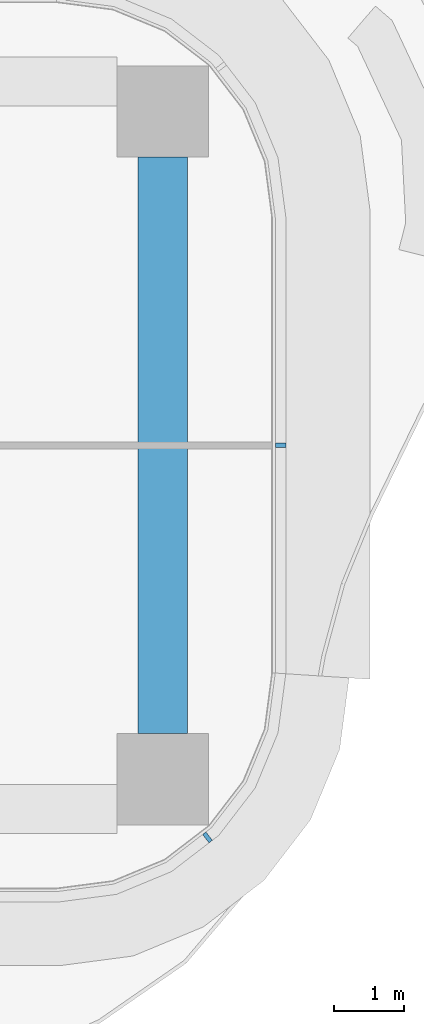
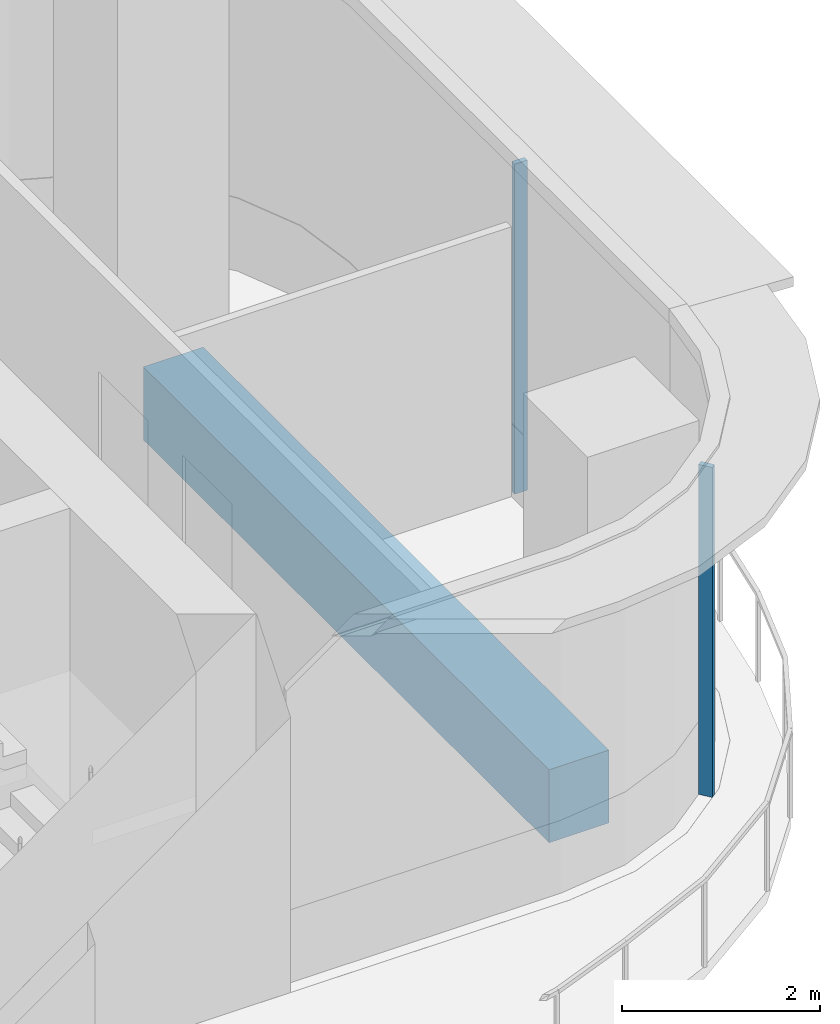
# One storey, part 7 of 21: 2 members, 1 beam, 2 elements without a shape of their own.
"""IFC4 building model written with IfcOpenShell, lengths in metres."""

from ifc_helpers import new_model, si_unit, direction, frame, origin, origin_2d, place, context, subcontext, project, spatial, rectangle, extrude, source, transform, mapped, material, layer, layer_set, material_profile, profile_set, type_object, element, aggregate, save


model = new_model("IFC4")

# Units and contexts
model_context = context("Model", 3, precision=1e-05, world=origin(), true_north=direction((0.0, 1.0)))
body_context = subcontext(model_context, "Body", "Model", "MODEL_VIEW")
ifc_project = project(units=[si_unit("LENGTHUNIT", "METRE"), si_unit("AREAUNIT", "SQUARE_METRE"), si_unit("VOLUMEUNIT", "CUBIC_METRE"), si_unit("PLANEANGLEUNIT", "RADIAN"), si_unit("MASSUNIT", "GRAM", prefix="KILO")], contexts=[model_context])

# Site, building, storey
site_placement = place(None, origin())
site = spatial("IfcSite", under=ifc_project, at=site_placement, CompositionType="ELEMENT")
building_placement = place(site_placement, origin())
building = spatial("IfcBuilding", under=site, at=building_placement, Name="Trellis Farm Tower", CompositionType="ELEMENT")
storey_placement = place(building_placement, frame((0.0, 0.0, 106.5)))
storey = spatial("IfcBuildingStorey", under=building, at=storey_placement, Name="L22", CompositionType="ELEMENT", Elevation=106.5)

# Beam
ifc_material_1 = material(Name="Concrete C60/75", Category="concrete")
ifc_material_profile_1 = material_profile(ifc_material_1, rectangle(XDim=0.699951171875, YDim=0.89990234375, at=origin_2d()), Name="RC spandrel beam 700x900 C60/75")
ifc_profile_set_1 = profile_set([ifc_material_profile_1], Name="Concrete C60/75")
beam_type = type_object("IfcBeamType", Name="RC spandrel beam 700x900 C60/75", PredefinedType="SPANDREL", material=ifc_profile_set_1)
shared_shape_1 = source(origin(), body_context, "Body", "SweptSolid", [
    extrude(rectangle(XDim=0.699951171875, YDim=0.89990234375, at=origin_2d()), origin(), (0.0, 0.0, 1.0), 8.2001953125),
])
beam_placement = place(storey_placement, frame((27.5, -4.10009765625, -0.699951171875), z_axis=(0.0, 1.0, 0.0), x_axis=(-1.0, 0.0, 0.0)))
element("IfcBeam", 1, at=beam_placement, inside=storey, type_object=beam_type, Name="Girder", PredefinedType="SPANDREL", context=body_context, shape_type="MappedRepresentation", body=[
    mapped(shared_shape_1, transform((0.0, 0.0, 0.0))),
])

# Curtain wall, member
ifc_material_2 = material(Name="Aluminium and glass curtain wall", Category="aluminium")
ifc_layer = layer(ifc_material_2, 0.18994140625)
ifc_layer_set = layer_set([ifc_layer], Name="RIBBON CURTAIN WALL CW1")
curtain_wall_type = type_object("IfcCurtainWallType", Name="RIBBON CURTAIN WALL CW1", PredefinedType="NOTDEFINED", material=ifc_layer_set)
placement = place(storey_placement, origin())
curtain_wall_1 = element("IfcCurtainWall", 2, at=placement, inside=storey, type_object=curtain_wall_type, Name="CW1 006", PredefinedType="NOTDEFINED")
ifc_material_3 = material(Name="Aluminium extrusion 6063-T6", Category="aluminium")
ifc_material_profile_2 = material_profile(ifc_material_3, rectangle(XDim=0.06005859375, YDim=0.14990234375, at=origin_2d()), Name="MULLION 60x150")
ifc_profile_set_2 = profile_set([ifc_material_profile_2], Name="Aluminium extrusion 6063-T6")
member_type = type_object("IfcMemberType", Name="CW1 MULLION 60x150", PredefinedType="MULLION", material=ifc_profile_set_2)
shared_shape_2 = source(origin(), body_context, "Body", "SweptSolid", [
    extrude(rectangle(XDim=0.06005859375, YDim=0.14990234375, at=origin_2d()), origin(), (0.0, 0.0, 1.0), 4.070068359375),
])
member_1_placement = place(storey_placement, frame((28.135498046875, -5.578369140625, 0.0), z_axis=(0.0, 0.0, 1.0), x_axis=(0.793353340291, 0.608761429009, 0.0)))
member_1 = element("IfcMember", 3, at=member_1_placement, type_object=member_type, Name="MU1 006-01", PredefinedType="MULLION", context=body_context, shape_type="MappedRepresentation", body=[
    mapped(shared_shape_2, transform((0.0, 0.0, 0.0))),
])
aggregate(curtain_wall_1, [member_1])

curtain_wall_2 = element("IfcCurtainWall", 4, at=placement, inside=storey, type_object=curtain_wall_type, Name="CW1 007", PredefinedType="NOTDEFINED")
member_2_placement = place(storey_placement, frame((29.175048828125, 0.0, 0.0), z_axis=(0.0, 0.0, 1.0), x_axis=(0.0, 1.0, 0.0)))
member_2 = element("IfcMember", 5, at=member_2_placement, type_object=member_type, Name="MU1 007-01", PredefinedType="MULLION", context=body_context, shape_type="MappedRepresentation", body=[
    mapped(shared_shape_2, transform((0.0, 0.0, 0.0))),
])
aggregate(curtain_wall_2, [member_2])

save(model, "model.ifc")
